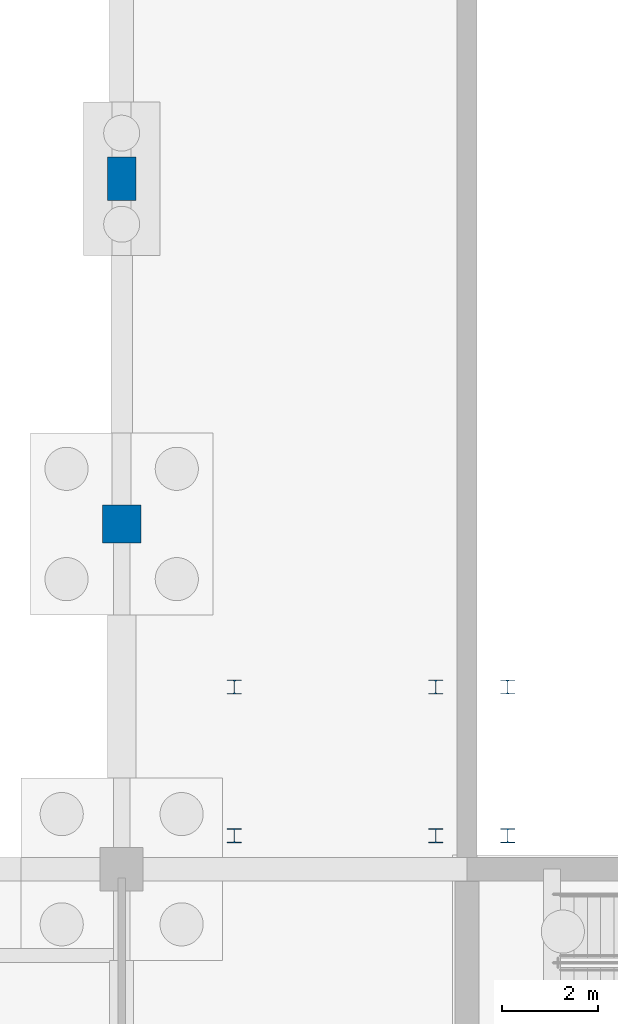
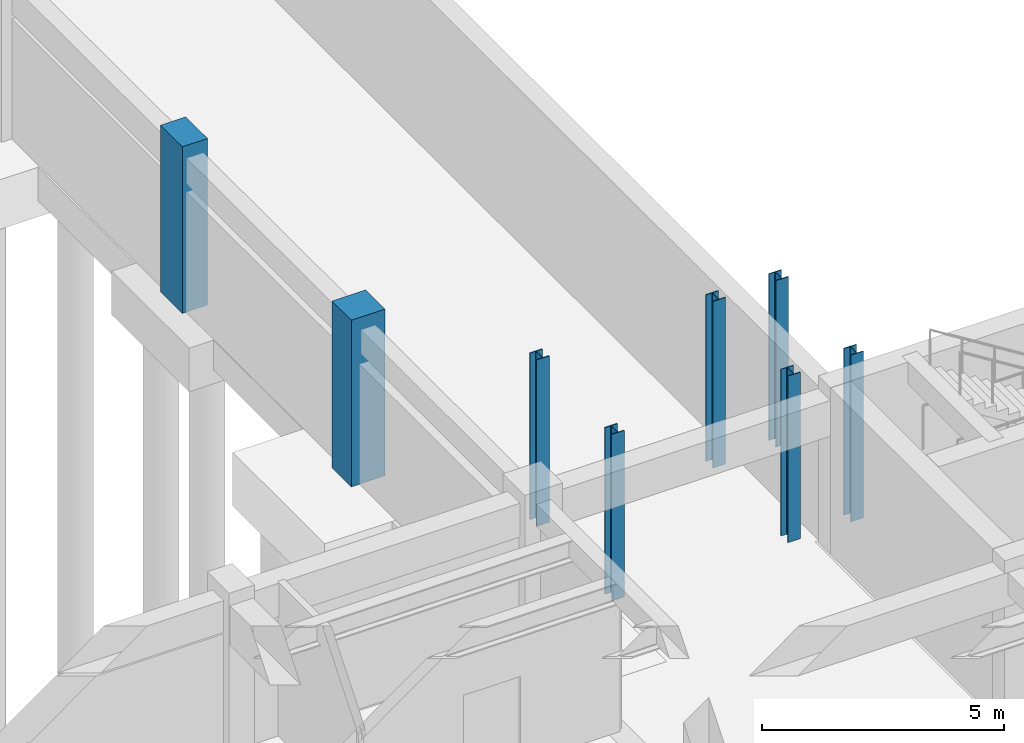
# One storey, part 6 of 33: 8 columns.
"""IFC4 building model written with IfcOpenShell, lengths in metres."""

from ifc_helpers import new_model, si_unit, direction, frame, origin, origin_2d, place, context, subcontext, project, spatial, rectangle, i_section, extrude, material, material_profile, profile_set, type_object, element, save


model = new_model("IFC4")

# Units and contexts
model_context = context("Model", 3, precision=1e-05, world=origin(), true_north=direction((0.0, 1.0)))
body_context = subcontext(model_context, "Body", "Model", "MODEL_VIEW")
ifc_project = project(units=[si_unit("LENGTHUNIT", "METRE"), si_unit("AREAUNIT", "SQUARE_METRE"), si_unit("VOLUMEUNIT", "CUBIC_METRE"), si_unit("PLANEANGLEUNIT", "RADIAN"), si_unit("MASSUNIT", "GRAM", prefix="KILO")], contexts=[model_context])

# Site, building, storey
site_placement = place(None, origin())
site = spatial("IfcSite", under=ifc_project, at=site_placement, CompositionType="ELEMENT")
building_placement = place(site_placement, origin())
building = spatial("IfcBuilding", under=site, at=building_placement, Name="Mithqara Police Headquarters", CompositionType="ELEMENT")
storey_placement = place(building_placement, frame((0.0, 0.0, -4.199951171875)))
storey = spatial("IfcBuildingStorey", under=building, at=storey_placement, Name="B1", CompositionType="ELEMENT", Elevation=-4.199951171875)

# Columns
ifc_material_1 = material(Name="Steel S355JR", Category="steel")
ifc_material_profile_1 = material_profile(ifc_material_1, i_section(OverallWidth=0.300048828125, OverallDepth=0.300048828125, WebThickness=0.010986328125, FlangeThickness=0.01904296875, FilletRadius=0.027099609375, at=origin_2d()), Name="HEB 300")
ifc_profile_set_1 = profile_set([ifc_material_profile_1], Name="Steel S355JR")
column_type_1 = type_object("IfcColumnType", Name="COLUMN HEB300", PredefinedType="COLUMN", material=ifc_profile_set_1)
for number, where, z_axis, x_axis, name in (
    (1, (74.949951171875, 36.10009765625, 0.0), (0.0, 0.0, 1.0), (1.0, 0.0, 0.0), "B1 Hall Stair Support Column"),
    (2, (74.949951171875, 39.199951171875, 0.0), (0.0, 0.0, 1.0), (1.0, 0.0, 0.0), "B1 Hall Stair Support Column"),
    (3, (79.14990234375, 36.10009765625, 0.0), (0.0, 0.0, 1.0), (1.0, 0.0, 0.0), "B1 Hall Stair Support Column"),
    (4, (79.14990234375, 39.199951171875, 0.0), (0.0, 0.0, 1.0), (1.0, 0.0, 0.0), "B1 Hall Stair Support Column"),
    (5, (80.64990234375, 36.10009765625, 0.0), (0.0, 0.0, 1.0), (1.0, 0.0, 0.0), "B1 Hall Stair Support Column"),
    (6, (80.64990234375, 39.199951171875, 0.0), (0.0, 0.0, 1.0), (1.0, 0.0, 0.0), "B1 Hall Stair Support Column"),
):
    element("IfcColumn", number, at=place(storey_placement, frame(where, z_axis=z_axis, x_axis=x_axis)), inside=storey, type_object=column_type_1, Name=name, PredefinedType="COLUMN", context=body_context, shape_type="SweptSolid", body=[
        extrude(i_section(OverallWidth=0.300048828125, OverallDepth=0.300048828125, WebThickness=0.010986328125, FlangeThickness=0.01904296875, FilletRadius=0.027099609375, at=origin_2d()), origin(), (0.0, 0.0, 1.0), 4.199951171875),
    ])
ifc_material_2 = material(Name="Concrete C50/60", Category="concrete")
ifc_material_profile_2 = material_profile(ifc_material_2, rectangle(XDim=0.60009765625, YDim=0.89990234375, at=origin_2d()), Name="RC 600x900")
ifc_profile_set_2 = profile_set([ifc_material_profile_2], Name="Concrete C50/60")
column_type_2 = type_object("IfcColumnType", Name="COLUMN RC600X900", PredefinedType="COLUMN", material=ifc_profile_set_2)
column_1_placement = place(storey_placement, frame((72.60009765625, 49.800048828125, 0.0), z_axis=(0.0, 0.0, 1.0), x_axis=(1.0, 0.0, 0.0)))
element("IfcColumn", 7, at=column_1_placement, inside=storey, type_object=column_type_2, Name="B1 Column 11/H", PredefinedType="COLUMN", context=body_context, shape_type="SweptSolid", body=[
    extrude(rectangle(XDim=0.60009765625, YDim=0.89990234375, at=origin_2d()), origin(), (0.0, 0.0, 1.0), 4.199951171875),
])
ifc_material_profile_3 = material_profile(ifc_material_2, rectangle(XDim=0.800048828125, YDim=0.800048828125, at=origin_2d()), Name="RC 800x800")
ifc_profile_set_3 = profile_set([ifc_material_profile_3], Name="Concrete C50/60")
column_type_3 = type_object("IfcColumnType", Name="COLUMN RC800", PredefinedType="COLUMN", material=ifc_profile_set_3)
column_2_placement = place(storey_placement, frame((72.60009765625, 42.60009765625, 0.0), z_axis=(0.0, 0.0, 1.0), x_axis=(1.0, 0.0, 0.0)))
element("IfcColumn", 8, at=column_2_placement, inside=storey, type_object=column_type_3, Name="B1 Column 11/G", PredefinedType="COLUMN", context=body_context, shape_type="SweptSolid", body=[
    extrude(rectangle(XDim=0.800048828125, YDim=0.800048828125, at=origin_2d()), origin(), (0.0, 0.0, 1.0), 4.199951171875),
])

save(model, "model.ifc")
